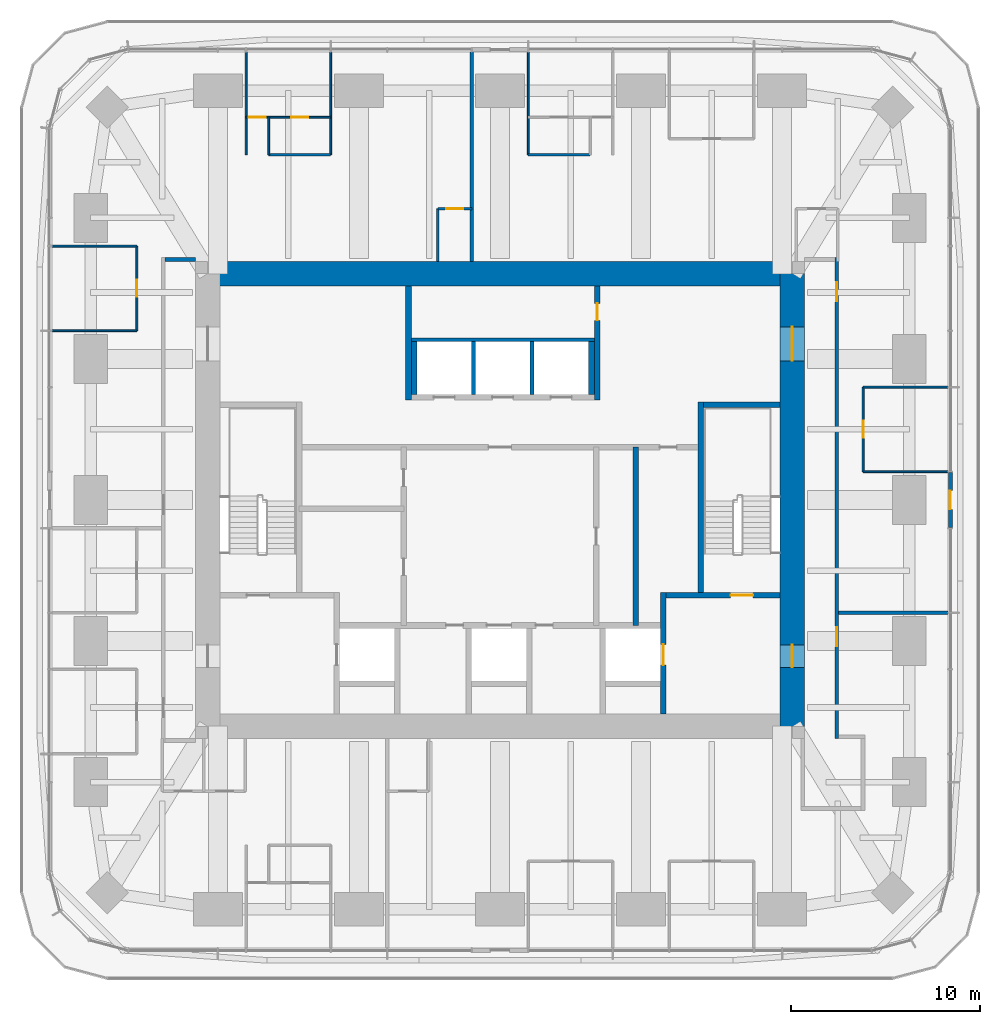
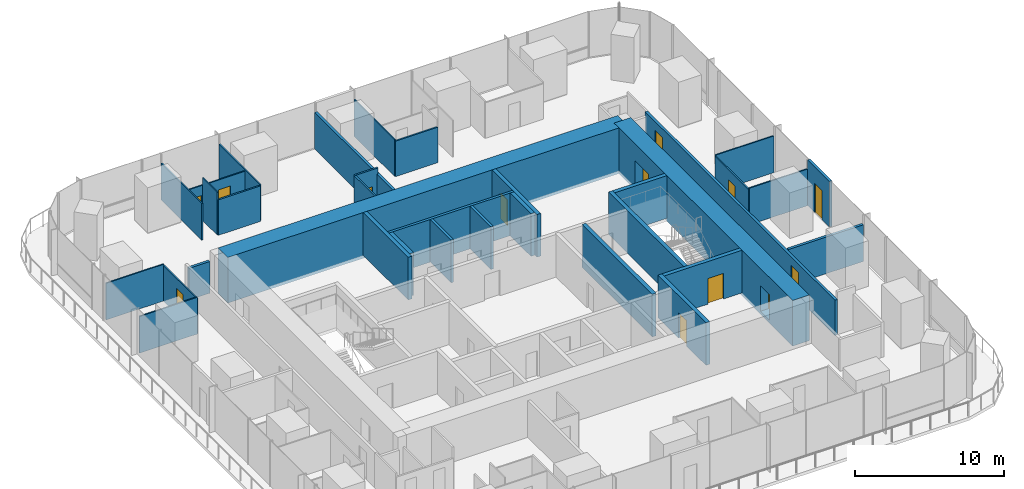
# One storey, part 10 of 15: 34 walls, 13 doors, 13 openings.
"""IFC4 building model written with IfcOpenShell, lengths in metres."""

from ifc_helpers import new_model, si_unit, direction, frame, frame_2d, origin, place, context, subcontext, project, spatial, rectangle, extrude, material, layer, layer_set, type_object, element, fill, save


model = new_model("IFC4")

# Units and contexts
model_context = context("Model", 3, precision=1e-05, world=origin(), true_north=direction((0.0, 1.0)))
body_context = subcontext(model_context, "Body", "Model", "MODEL_VIEW")
ifc_project = project(units=[si_unit("LENGTHUNIT", "METRE"), si_unit("AREAUNIT", "SQUARE_METRE"), si_unit("VOLUMEUNIT", "CUBIC_METRE"), si_unit("PLANEANGLEUNIT", "RADIAN"), si_unit("MASSUNIT", "GRAM", prefix="KILO")], contexts=[model_context])

# Site, building, storey
site_placement = place(None, origin())
site = spatial("IfcSite", under=ifc_project, at=site_placement, CompositionType="ELEMENT")
building_placement = place(site_placement, origin())
building = spatial("IfcBuilding", under=site, at=building_placement, Name="Khuree Lantern Residences", CompositionType="ELEMENT")
storey_placement = place(building_placement, frame((0.0, 0.0, 285.75)))
storey = spatial("IfcBuildingStorey", under=building, at=storey_placement, Name="L71", CompositionType="ELEMENT", Elevation=285.75)

# Walls
ifc_material_1 = material(Name="Moisture-resistant gypsum board on steel studs", Category="steel")
ifc_layer_1 = layer(ifc_material_1, 0.125)
ifc_layer_set_1 = layer_set([ifc_layer_1], Name="BATHROOM WALL BTW125")
wall_type_1 = type_object("IfcWallType", Name="BATHROOM WALL BTW125", PredefinedType="PARTITIONING", material=ifc_layer_set_1)
for number, where, z_axis, x_axis, name in (
    (1, (4.783935546875, 18.29638671875, 0.0), (0.0, 0.0, 1.0), (-1.0, 0.0, 0.0), "L71 BATHROOM WALL 01"),
    (2, (-8.97607421875, 18.29638671875, 0.0), (0.0, 0.0, 1.0), (-1.0, 0.0, 0.0), "L71 BATHROOM WALL 02"),
):
    element("IfcWall", number, at=place(storey_placement, frame(where, z_axis=z_axis, x_axis=x_axis)), inside=storey, type_object=wall_type_1, Name=name, PredefinedType="PARTITIONING", context=body_context, shape_type="SweptSolid", body=[
        extrude(rectangle(XDim=3.287841796875, YDim=0.125, at=frame_2d((1.64404296875, 0.0))), origin(), (0.0, 0.0, 1.0), 2.909912109375),
    ])

# Wall, opening, door
wall_1_placement = place(storey_placement, frame((-1.49609375, 15.449951171875, 0.0), z_axis=(0.0, 0.0, 1.0), x_axis=(-1.0, 0.0, 0.0)))
wall_1 = element("IfcWall", 3, at=wall_1_placement, inside=storey, type_object=wall_type_1, Name="L71 BATHROOM WALL 02", PredefinedType="PARTITIONING", context=body_context, shape_type="SweptSolid", body=[
    extrude(rectangle(XDim=1.7998046875, YDim=0.125, at=frame_2d((0.89990234375, 0.0))), origin(), (0.0, 0.0, 1.0), 3.5),
])
opening_1_placement = place(wall_1_placement, frame((0.449951171875, 0.0, 0.0)))
opening_1 = element("IfcOpeningElement", 4, at=opening_1_placement, cuts=wall_1, Name="Opening 71-030", PredefinedType="OPENING", context=body_context, shape_type="SweptSolid", body=[
    extrude(rectangle(XDim=0.89990234375, YDim=2.10009765625, at=frame_2d((0.449951171875, 1.050048828125))), frame((0.0, 0.072509765625, 0.0), z_axis=(0.0, -1.0, 0.0), x_axis=(1.0, 0.0, 0.0)), (0.0, 0.0, 1.0), 0.14501953125),
])
ifc_material_2 = material(Name="Timber door leaf in hardwood frame", Category="wood")
door_type_1 = type_object("IfcDoorType", Name="BATHROOM DOOR 900X2100", OperationType="SINGLE_SWING_LEFT", PredefinedType="DOOR", material=ifc_material_2)
door_1_placement = place(opening_1_placement, origin())
door_1 = element("IfcDoor", 5, at=door_1_placement, inside=storey, type_object=door_type_1, Name="Bathroom door 71-030", OperationType="SINGLE_SWING_LEFT", OverallHeight=2.10009765625, OverallWidth=0.89990234375, PredefinedType="DOOR", context=body_context, shape_type="SweptSolid", body=[
    extrude(rectangle(XDim=0.89990234375, YDim=2.10009765625, at=frame_2d((0.449951171875, 1.050048828125))), frame((0.0, 0.02490234375, 0.0), z_axis=(0.0, -1.0, 0.0), x_axis=(1.0, 0.0, 0.0)), (0.0, 0.0, 1.0), 0.050048828125),
])
fill(opening_1, door_1)

# Wall
wall_2_placement = place(storey_placement, frame((-3.2958984375, 12.64990234375, 0.0), z_axis=(0.0, 0.0, 1.0), x_axis=(0.0, 1.0, 0.0)))
element("IfcWall", 6, at=wall_2_placement, inside=storey, type_object=wall_type_1, Name="L71 BATHROOM WALL 02", PredefinedType="PARTITIONING", context=body_context, shape_type="SweptSolid", body=[
    extrude(rectangle(XDim=2.800048828125, YDim=0.125, at=frame_2d((1.39990234375, 0.0))), origin(), (0.0, 0.0, 1.0), 3.5),
])

# Wall, opening, door
ifc_material_3 = material(Name="Dense concrete blockwork", Category="masonry")
ifc_layer_2 = layer(ifc_material_3, 0.300048828125)
ifc_layer_set_2 = layer_set([ifc_layer_2], Name="CORE PARTITION WALL CPW300 EI 120")
wall_type_2 = type_object("IfcWallType", Name="CORE PARTITION WALL CPW300 EI 120", PredefinedType="PARTITIONING", material=ifc_layer_set_2)
wall_3_placement = place(storey_placement, frame((8.64990234375, -11.35009765625, 0.0), z_axis=(0.0, 0.0, 1.0), x_axis=(0.0, 1.0, 0.0)))
wall_3 = element("IfcWall", 7, at=wall_3_placement, inside=storey, type_object=wall_type_2, Name="L71 CORE WALL FL2E", PredefinedType="PARTITIONING", context=body_context, shape_type="SweptSolid", body=[
    extrude(rectangle(XDim=6.4501953125, YDim=0.300048828125, at=frame_2d((3.22509765625, 0.0))), origin(), (0.0, 0.0, 1.0), 3.5),
])
opening_2_placement = place(wall_3_placement, frame((2.60009765625, 0.0, 0.0)))
opening_2 = element("IfcOpeningElement", 8, at=opening_2_placement, cuts=wall_3, Name="Opening 71-008", PredefinedType="OPENING", context=body_context, shape_type="SweptSolid", body=[
    extrude(rectangle(XDim=1.10009765625, YDim=2.10009765625, at=frame_2d((0.550048828125, 1.050048828125))), frame((0.0, 0.16015625, 0.0), z_axis=(0.0, -1.0, 0.0), x_axis=(1.0, 0.0, 0.0)), (0.0, 0.0, 1.0), 0.320068359375),
])
ifc_material_4 = material(Name="Stainless steel lift landing door", Category="steel")
door_type_2 = type_object("IfcDoorType", Name="LIFT LANDING DOOR 1100X2100 E 120", OperationType="DOUBLE_DOOR_SLIDING", PredefinedType="DOOR", material=ifc_material_4)
door_2_placement = place(opening_2_placement, origin())
door_2 = element("IfcDoor", 9, at=door_2_placement, inside=storey, type_object=door_type_2, Name="Landing door FL2 71-008", OperationType="DOUBLE_DOOR_SLIDING", OverallHeight=2.10009765625, OverallWidth=1.10009765625, PredefinedType="DOOR", context=body_context, shape_type="SweptSolid", body=[
    extrude(rectangle(XDim=1.10009765625, YDim=2.10009765625, at=frame_2d((0.550048828125, 1.050048828125))), frame((0.0, 0.02490234375, 0.0), z_axis=(0.0, -1.0, 0.0), x_axis=(1.0, 0.0, 0.0)), (0.0, 0.0, 1.0), 0.050048828125),
])
fill(opening_2, door_2)

# Walls
for number, where, z_axis, x_axis, name in (
    (10, (-4.550048828125, 5.60009765625, 0.0), (0.0, 0.0, 1.0), (0.0, 1.0, 0.0), "L71 CORE WALL PHW"),
    (11, (4.85009765625, 5.60009765625, 0.0), (0.0, 0.0, 1.0), (0.0, 1.0, 0.0), "L71 CORE WALL PHE"),
):
    element("IfcWall", number, at=place(storey_placement, frame(where, z_axis=z_axis, x_axis=x_axis)), inside=storey, type_object=wall_type_2, Name=name, PredefinedType="PARTITIONING", context=body_context, shape_type="SweptSolid", body=[
        extrude(rectangle(XDim=2.7998046875, YDim=0.300048828125, at=frame_2d((1.39990234375, 0.0))), origin(), (0.0, 0.0, 1.0), 3.5),
    ])
wall_4_placement = place(storey_placement, frame((7.193115234375, -6.64990234375, 0.0), z_axis=(0.0, 0.0, 1.0), x_axis=(0.0, 1.0, 0.0)))
element("IfcWall", 12, at=wall_4_placement, inside=storey, type_object=wall_type_2, Name="L71 CORE WALL EV", PredefinedType="PARTITIONING", context=body_context, shape_type="SweptSolid", body=[
    extrude(rectangle(XDim=9.449951171875, YDim=0.300048828125, at=frame_2d((4.72509765625, 0.0))), origin(), (0.0, 0.0, 1.0), 3.5),
])
wall_5_placement = place(storey_placement, frame((-4.85009765625, 5.300048828125, 0.0), z_axis=(0.0, 0.0, 1.0), x_axis=(0.0, 1.0, 0.0)))
element("IfcWall", 13, at=wall_5_placement, inside=storey, type_object=wall_type_2, Name="L71 CORE WALL NW", PredefinedType="PARTITIONING", context=body_context, shape_type="SweptSolid", body=[
    extrude(rectangle(XDim=6.050048828125, YDim=0.300048828125, at=frame_2d((3.02490234375, 0.0))), origin(), (0.0, 0.0, 1.0), 3.5),
])

# Wall, opening, door
wall_6_placement = place(storey_placement, frame((5.14990234375, 5.300048828125, 0.0), z_axis=(0.0, 0.0, 1.0), x_axis=(0.0, 1.0, 0.0)))
wall_6 = element("IfcWall", 14, at=wall_6_placement, inside=storey, type_object=wall_type_2, Name="L71 CORE WALL NE", PredefinedType="PARTITIONING", context=body_context, shape_type="SweptSolid", body=[
    extrude(rectangle(XDim=6.050048828125, YDim=0.300048828125, at=frame_2d((3.02490234375, 0.0))), origin(), (0.0, 0.0, 1.0), 3.5),
])
opening_3_placement = place(wall_6_placement, frame((4.22509765625, 0.0, 0.0)))
opening_3 = element("IfcOpeningElement", 15, at=opening_3_placement, cuts=wall_6, Name="Opening 71-020", PredefinedType="OPENING", context=body_context, shape_type="SweptSolid", body=[
    extrude(rectangle(XDim=0.89990234375, YDim=2.10009765625, at=frame_2d((0.449951171875, 1.050048828125))), frame((0.0, 0.16015625, 0.0), z_axis=(0.0, -1.0, 0.0), x_axis=(1.0, 0.0, 0.0)), (0.0, 0.0, 1.0), 0.320068359375),
])
door_type_3 = type_object("IfcDoorType", Name="DOOR 900X2100", OperationType="SINGLE_SWING_LEFT", PredefinedType="DOOR", material=ifc_material_2)
door_3_placement = place(opening_3_placement, origin())
door_3 = element("IfcDoor", 16, at=door_3_placement, inside=storey, type_object=door_type_3, Name="Residents' store door 71-020", OperationType="SINGLE_SWING_LEFT", OverallHeight=2.10009765625, OverallWidth=0.89990234375, PredefinedType="DOOR", context=body_context, shape_type="SweptSolid", body=[
    extrude(rectangle(XDim=0.89990234375, YDim=2.10009765625, at=frame_2d((0.449951171875, 1.050048828125))), frame((0.0, 0.02490234375, 0.0), z_axis=(0.0, -1.0, 0.0), x_axis=(1.0, 0.0, 0.0)), (0.0, 0.0, 1.0), 0.050048828125),
])
fill(opening_3, door_3)

# Wall
ifc_material_5 = material(Name="Gypsum board on steel studs", Category="steel")
ifc_layer_3 = layer(ifc_material_5, 0.199951171875)
ifc_layer_set_3 = layer_set([ifc_layer_3], Name="CORRIDOR WALL CRW200 EI 60")
wall_type_3 = type_object("IfcWallType", Name="CORRIDOR WALL CRW200 EI 60", PredefinedType="PARTITIONING", material=ifc_layer_set_3)
wall_7_placement = place(storey_placement, frame((-16.14990234375, 12.75, 0.0), z_axis=(0.0, 0.0, 1.0), x_axis=(-1.0, 0.0, 0.0)))
element("IfcWall", 17, at=wall_7_placement, inside=storey, type_object=wall_type_3, Name="L71 WEST CORRIDOR NORTH END WALL", PredefinedType="PARTITIONING", context=body_context, shape_type="SweptSolid", body=[
    extrude(rectangle(XDim=1.60009765625, YDim=0.199951171875, at=frame_2d((0.800048828125, 0.0))), origin(), (0.0, 0.0, 1.0), 2.60009765625),
])

# Wall, openings, doors
wall_8_placement = place(storey_placement, frame((17.85009765625, -12.64990234375, 0.0), z_axis=(0.0, 0.0, 1.0), x_axis=(0.0, 1.0, 0.0)))
wall_8 = element("IfcWall", 18, at=wall_8_placement, inside=storey, type_object=wall_type_3, Name="L71 CORRIDOR WALL EAST 1", PredefinedType="PARTITIONING", context=body_context, shape_type="SweptSolid", body=[
    extrude(rectangle(XDim=25.5, YDim=0.199951171875, at=frame_2d((12.75, 0.0))), origin(), (0.0, 0.0, 1.0), 2.89990234375),
])
opening_4_placement = place(wall_8_placement, frame((23.18603515625, 0.0, 0.0)))
opening_4 = element("IfcOpeningElement", 19, at=opening_4_placement, cuts=wall_8, Name="Opening 71-026", PredefinedType="OPENING", context=body_context, shape_type="SweptSolid", body=[
    extrude(rectangle(XDim=1.0, YDim=2.199951171875, at=frame_2d((0.5, 1.10009765625))), frame((0.0, 0.10986328125, 0.0), z_axis=(0.0, -1.0, 0.0), x_axis=(1.0, 0.0, 0.0)), (0.0, 0.0, 1.0), 0.219970703125),
])
opening_5_placement = place(wall_8_placement, frame((4.89990234375, 0.0, 0.0)))
opening_5 = element("IfcOpeningElement", 20, at=opening_5_placement, cuts=wall_8, Name="Opening 71-042", PredefinedType="OPENING", context=body_context, shape_type="SweptSolid", body=[
    extrude(rectangle(XDim=1.0, YDim=2.199951171875, at=frame_2d((0.5, 1.10009765625))), frame((0.0, 0.10986328125, 0.0), z_axis=(0.0, -1.0, 0.0), x_axis=(1.0, 0.0, 0.0)), (0.0, 0.0, 1.0), 0.219970703125),
])
door_type_4 = type_object("IfcDoorType", Name="APARTMENT ENTRANCE DOOR 1000X2200 EI 30S", OperationType="SINGLE_SWING_LEFT", PredefinedType="DOOR", material=ifc_material_2)
door_4_placement = place(opening_5_placement, origin())
door_4 = element("IfcDoor", 21, at=door_4_placement, inside=storey, type_object=door_type_4, Name="Apartment 04 entrance door 71-042", OperationType="SINGLE_SWING_LEFT", OverallHeight=2.199951171875, OverallWidth=1.0, PredefinedType="DOOR", context=body_context, shape_type="SweptSolid", body=[
    extrude(rectangle(XDim=1.0, YDim=2.199951171875, at=frame_2d((0.5, 1.10009765625))), frame((0.0, 0.02490234375, 0.0), z_axis=(0.0, -1.0, 0.0), x_axis=(1.0, 0.0, 0.0)), (0.0, 0.0, 1.0), 0.050048828125),
])
fill(opening_5, door_4)
door_type_5 = type_object("IfcDoorType", Name="APARTMENT ENTRANCE DOOR 1000X2200 EI 30S RIGHT HAND", OperationType="SINGLE_SWING_RIGHT", PredefinedType="DOOR", material=ifc_material_2)
door_5_placement = place(opening_4_placement, origin())
door_5 = element("IfcDoor", 22, at=door_5_placement, inside=storey, type_object=door_type_5, Name="Apartment 01 entrance door 71-026", OperationType="SINGLE_SWING_RIGHT", OverallHeight=2.199951171875, OverallWidth=1.0, PredefinedType="DOOR", context=body_context, shape_type="SweptSolid", body=[
    extrude(rectangle(XDim=1.0, YDim=2.199951171875, at=frame_2d((0.5, 1.10009765625))), frame((0.0, 0.02490234375, 0.0), z_axis=(0.0, -1.0, 0.0), x_axis=(1.0, 0.0, 0.0)), (0.0, 0.0, 1.0), 0.050048828125),
])
fill(opening_4, door_5)

ifc_material_6 = material(Name="Concrete C50/60", Category="concrete")
ifc_layer_4 = layer(ifc_material_6, 1.300048828125)
ifc_layer_set_4 = layer_set([ifc_layer_4], Name="CW1300-C50 CORE WALL C50 1300")
wall_type_4 = type_object("IfcWallType", Name="CW1300-C50 CORE WALL C50 1300", PredefinedType="SHEAR", material=ifc_layer_set_4)
wall_9_placement = place(storey_placement, frame((15.5, -12.0, -0.25), z_axis=(0.0, 0.0, 1.0), x_axis=(0.0, 1.0, 0.0)))
wall_9 = element("IfcWall", 23, at=wall_9_placement, inside=storey, type_object=wall_type_4, Name="Core wall E", PredefinedType="SHEAR", context=body_context, shape_type="SweptSolid", body=[
    extrude(rectangle(XDim=24.0, YDim=1.300048828125, at=frame_2d((12.0, 0.0))), origin(), (0.0, 0.0, 1.0), 3.75),
])
opening_6_placement = place(wall_9_placement, frame((3.125, 0.0, 0.25)))
opening_6 = element("IfcOpeningElement", 24, at=opening_6_placement, cuts=wall_9, Name="Opening 71-005", PredefinedType="OPENING", context=body_context, shape_type="SweptSolid", body=[
    extrude(rectangle(XDim=1.199951171875, YDim=2.10009765625, at=frame_2d((0.60009765625, 1.050048828125))), frame((0.0, 0.66015625, 0.0), z_axis=(0.0, -1.0, 0.0), x_axis=(1.0, 0.0, 0.0)), (0.0, 0.0, 1.0), 1.320068359375),
])
opening_7_placement = place(wall_9_placement, frame((19.375, 0.0, 0.25)))
opening_7 = element("IfcOpeningElement", 25, at=opening_7_placement, cuts=wall_9, Name="Opening 71-006", PredefinedType="OPENING", context=body_context, shape_type="SweptSolid", body=[
    extrude(rectangle(XDim=1.800048828125, YDim=2.10009765625, at=frame_2d((0.89990234375, 1.050048828125))), frame((0.0, 0.66015625, 0.0), z_axis=(0.0, -1.0, 0.0), x_axis=(1.0, 0.0, 0.0)), (0.0, 0.0, 1.0), 1.320068359375),
])
ifc_material_7 = material(Name="Steel door leaf in steel frame", Category="steel")
door_type_6 = type_object("IfcDoorType", Name="LOBBY DOOR 1200X2100 EI 120", OperationType="SINGLE_SWING_LEFT", PredefinedType="DOOR", material=ifc_material_7)
door_6_placement = place(opening_6_placement, origin())
door_6 = element("IfcDoor", 26, at=door_6_placement, inside=storey, type_object=door_type_6, Name="Firefighting lobby door 71-005", OperationType="SINGLE_SWING_LEFT", OverallHeight=2.10009765625, OverallWidth=1.199951171875, PredefinedType="DOOR", context=body_context, shape_type="SweptSolid", body=[
    extrude(rectangle(XDim=1.199951171875, YDim=2.10009765625, at=frame_2d((0.60009765625, 1.050048828125))), frame((0.0, 0.02490234375, 0.0), z_axis=(0.0, -1.0, 0.0), x_axis=(1.0, 0.0, 0.0)), (0.0, 0.0, 1.0), 0.050048828125),
])
fill(opening_6, door_6)
door_type_7 = type_object("IfcDoorType", Name="LOBBY DOUBLE DOOR 1800X2100 EI 60", OperationType="DOUBLE_DOOR_SINGLE_SWING", PredefinedType="DOOR", material=ifc_material_7)
door_7_placement = place(opening_7_placement, origin())
door_7 = element("IfcDoor", 27, at=door_7_placement, inside=storey, type_object=door_type_7, Name="Lift lobby door 71-006", OperationType="DOUBLE_DOOR_SINGLE_SWING", OverallHeight=2.10009765625, OverallWidth=1.800048828125, PredefinedType="DOOR", context=body_context, shape_type="SweptSolid", body=[
    extrude(rectangle(XDim=1.800048828125, YDim=2.10009765625, at=frame_2d((0.89990234375, 1.050048828125))), frame((0.0, 0.02490234375, 0.0), z_axis=(0.0, -1.0, 0.0), x_axis=(1.0, 0.0, 0.0)), (0.0, 0.0, 1.0), 0.050048828125),
])
fill(opening_7, door_7)

# Walls
wall_10_placement = place(storey_placement, frame((-15.5, 12.0, -0.25), z_axis=(0.0, 0.0, 1.0), x_axis=(1.0, 0.0, 0.0)))
element("IfcWall", 28, at=wall_10_placement, inside=storey, type_object=wall_type_4, Name="Core wall N", PredefinedType="SHEAR", context=body_context, shape_type="SweptSolid", body=[
    extrude(rectangle(XDim=31.0, YDim=1.300048828125, at=frame_2d((15.5, 0.0))), origin(), (0.0, 0.0, 1.0), 3.75),
])
ifc_layer_5 = layer(ifc_material_5, 0.199951171875)
ifc_layer_set_5 = layer_set([ifc_layer_5], Name="DEMISING WALL DMW200 EI 90")
wall_type_5 = type_object("IfcWallType", Name="DEMISING WALL DMW200 EI 90", PredefinedType="PARTITIONING", material=ifc_layer_set_5)
wall_11_placement = place(storey_placement, frame((17.949951171875, -5.98388671875, 0.0), z_axis=(0.0, 0.0, 1.0), x_axis=(1.0, 0.0, 0.0)))
element("IfcWall", 29, at=wall_11_placement, inside=storey, type_object=wall_type_5, Name="L71 DEMISING WALL 01", PredefinedType="PARTITIONING", context=body_context, shape_type="SweptSolid", body=[
    extrude(rectangle(XDim=5.800048828125, YDim=0.199951171875, at=frame_2d((2.89990234375, 0.0))), origin(), (0.0, 0.0, 1.0), 3.010009765625),
])
wall_12_placement = place(storey_placement, frame((-1.49609375, 12.64990234375, 0.0), z_axis=(0.0, 0.0, 1.0), x_axis=(0.0, 1.0, 0.0)))
element("IfcWall", 30, at=wall_12_placement, inside=storey, type_object=wall_type_5, Name="L71 DEMISING WALL 02", PredefinedType="PARTITIONING", context=body_context, shape_type="SweptSolid", body=[
    extrude(rectangle(XDim=11.10009765625, YDim=0.199951171875, at=frame_2d((5.550048828125, 0.0))), origin(), (0.0, 0.0, 1.0), 3.010009765625),
])
ifc_layer_6 = layer(ifc_material_5, 0.10009765625)
ifc_layer_set_6 = layer_set([ifc_layer_6], Name="PARTITION PT100")
wall_type_6 = type_object("IfcWallType", Name="PARTITION PT100", PredefinedType="PARTITIONING", material=ifc_layer_set_6)
for number, where, z_axis, x_axis, name in (
    (31, (19.25, 1.49609375, 0.0), (0.0, 0.0, 1.0), (1.0, 0.0, 0.0), "L71 PARTITION 01"),
    (32, (19.25, 5.98388671875, 0.0), (0.0, 0.0, 1.0), (1.0, 0.0, 0.0), "L71 PARTITION 01"),
):
    element("IfcWall", number, at=place(storey_placement, frame(where, z_axis=z_axis, x_axis=x_axis)), inside=storey, type_object=wall_type_6, Name=name, PredefinedType="PARTITIONING", context=body_context, shape_type="SweptSolid", body=[
        extrude(rectangle(XDim=4.5, YDim=0.10009765625, at=frame_2d((2.25, 0.0))), origin(), (0.0, 0.0, 1.0), 3.010009765625),
    ])
for number, where, z_axis, x_axis, name in (
    (33, (1.49609375, 18.29638671875, 0.0), (0.0, 0.0, 1.0), (0.0, 1.0, 0.0), "L71 PARTITION 01"),
    (34, (-8.97607421875, 18.29638671875, 0.0), (0.0, 0.0, 1.0), (0.0, 1.0, 0.0), "L71 PARTITION 02"),
    (35, (-13.464111328125, 18.29638671875, 0.0), (0.0, 0.0, 1.0), (0.0, 1.0, 0.0), "L71 PARTITION 02"),
):
    element("IfcWall", number, at=place(storey_placement, frame(where, z_axis=z_axis, x_axis=x_axis)), inside=storey, type_object=wall_type_6, Name=name, PredefinedType="PARTITIONING", context=body_context, shape_type="SweptSolid", body=[
        extrude(rectangle(XDim=5.45361328125, YDim=0.10009765625, at=frame_2d((2.726806640625, 0.0))), origin(), (0.0, 0.0, 1.0), 3.010009765625),
    ])
for number, where, z_axis, x_axis, name in (
    (36, (-19.25, 13.464111328125, 0.0), (0.0, 0.0, 1.0), (-1.0, 0.0, 0.0), "L71 PARTITION 02"),
    (37, (-19.25, 8.97607421875, 0.0), (0.0, 0.0, 1.0), (-1.0, 0.0, 0.0), "L71 PARTITION 02"),
):
    element("IfcWall", number, at=place(storey_placement, frame(where, z_axis=z_axis, x_axis=x_axis)), inside=storey, type_object=wall_type_6, Name=name, PredefinedType="PARTITIONING", context=body_context, shape_type="SweptSolid", body=[
        extrude(rectangle(XDim=4.5, YDim=0.10009765625, at=frame_2d((2.25, 0.0))), origin(), (0.0, 0.0, 1.0), 3.010009765625),
    ])

# Wall, opening, door
wall_13_placement = place(storey_placement, frame((19.25, 1.49609375, 0.0), z_axis=(0.0, 0.0, 1.0), x_axis=(0.0, 1.0, 0.0)))
wall_13 = element("IfcWall", 38, at=wall_13_placement, inside=storey, type_object=wall_type_6, Name="L71 PARTITION 01", PredefinedType="PARTITIONING", context=body_context, shape_type="SweptSolid", body=[
    extrude(rectangle(XDim=4.48779296875, YDim=0.10009765625, at=frame_2d((2.243896484375, 0.0))), origin(), (0.0, 0.0, 1.0), 2.909912109375),
])
opening_8_placement = place(wall_13_placement, frame((1.7939453125, 0.0, 0.0)))
opening_8 = element("IfcOpeningElement", 39, at=opening_8_placement, cuts=wall_13, Name="Opening 71-021", PredefinedType="OPENING", context=body_context, shape_type="SweptSolid", body=[
    extrude(rectangle(XDim=0.89990234375, YDim=2.10009765625, at=frame_2d((0.449951171875, 1.050048828125))), frame((0.0, 0.06005859375, 0.0), z_axis=(0.0, -1.0, 0.0), x_axis=(1.0, 0.0, 0.0)), (0.0, 0.0, 1.0), 0.1201171875),
])
door_type_8 = type_object("IfcDoorType", Name="BEDROOM DOOR 900X2100", OperationType="SINGLE_SWING_LEFT", PredefinedType="DOOR", material=ifc_material_2)
door_8_placement = place(opening_8_placement, origin())
door_8 = element("IfcDoor", 40, at=door_8_placement, inside=storey, type_object=door_type_8, Name="Bedroom door 71-021", OperationType="SINGLE_SWING_LEFT", OverallHeight=2.10009765625, OverallWidth=0.89990234375, PredefinedType="DOOR", context=body_context, shape_type="SweptSolid", body=[
    extrude(rectangle(XDim=0.89990234375, YDim=2.10009765625, at=frame_2d((0.449951171875, 1.050048828125))), frame((0.0, 0.02490234375, 0.0), z_axis=(0.0, -1.0, 0.0), x_axis=(1.0, 0.0, 0.0)), (0.0, 0.0, 1.0), 0.050048828125),
])
fill(opening_8, door_8)

# Wall, openings, doors
wall_14_placement = place(storey_placement, frame((-8.97607421875, 20.29638671875, 0.0), z_axis=(0.0, 0.0, 1.0), x_axis=(-1.0, 0.0, 0.0)))
wall_14 = element("IfcWall", 41, at=wall_14_placement, inside=storey, type_object=wall_type_6, Name="L71 PARTITION 02", PredefinedType="PARTITIONING", context=body_context, shape_type="SweptSolid", body=[
    extrude(rectangle(XDim=4.488037109375, YDim=0.10009765625, at=frame_2d((2.244140625, 0.0))), origin(), (0.0, 0.0, 1.0), 2.909912109375),
])
opening_9_placement = place(wall_14_placement, frame((3.43798828125, 0.0, 0.0)))
opening_9 = element("IfcOpeningElement", 42, at=opening_9_placement, cuts=wall_14, Name="Opening 71-027", PredefinedType="OPENING", context=body_context, shape_type="SweptSolid", body=[
    extrude(rectangle(XDim=0.89990234375, YDim=2.10009765625, at=frame_2d((0.449951171875, 1.050048828125))), frame((0.0, 0.06005859375, 0.0), z_axis=(0.0, -1.0, 0.0), x_axis=(1.0, 0.0, 0.0)), (0.0, 0.0, 1.0), 0.1201171875),
])
opening_10_placement = place(wall_14_placement, frame((1.194091796875, 0.0, 0.0)))
opening_10 = element("IfcOpeningElement", 43, at=opening_10_placement, cuts=wall_14, Name="Opening 71-028", PredefinedType="OPENING", context=body_context, shape_type="SweptSolid", body=[
    extrude(rectangle(XDim=0.89990234375, YDim=2.10009765625, at=frame_2d((0.449951171875, 1.050048828125))), frame((0.0, 0.06005859375, 0.0), z_axis=(0.0, -1.0, 0.0), x_axis=(1.0, 0.0, 0.0)), (0.0, 0.0, 1.0), 0.1201171875),
])
door_9_placement = place(opening_10_placement, origin())
door_9 = element("IfcDoor", 44, at=door_9_placement, inside=storey, type_object=door_type_1, Name="Bathroom door 71-028", OperationType="SINGLE_SWING_LEFT", OverallHeight=2.10009765625, OverallWidth=0.89990234375, PredefinedType="DOOR", context=body_context, shape_type="SweptSolid", body=[
    extrude(rectangle(XDim=0.89990234375, YDim=2.10009765625, at=frame_2d((0.449951171875, 1.050048828125))), frame((0.0, 0.02490234375, 0.0), z_axis=(0.0, -1.0, 0.0), x_axis=(1.0, 0.0, 0.0)), (0.0, 0.0, 1.0), 0.050048828125),
])
fill(opening_10, door_9)
door_10_placement = place(opening_9_placement, origin())
door_10 = element("IfcDoor", 45, at=door_10_placement, inside=storey, type_object=door_type_8, Name="Bedroom door 71-027", OperationType="SINGLE_SWING_LEFT", OverallHeight=2.10009765625, OverallWidth=0.89990234375, PredefinedType="DOOR", context=body_context, shape_type="SweptSolid", body=[
    extrude(rectangle(XDim=0.89990234375, YDim=2.10009765625, at=frame_2d((0.449951171875, 1.050048828125))), frame((0.0, 0.02490234375, 0.0), z_axis=(0.0, -1.0, 0.0), x_axis=(1.0, 0.0, 0.0)), (0.0, 0.0, 1.0), 0.050048828125),
])
fill(opening_9, door_10)

# Wall
wall_15_placement = place(storey_placement, frame((-12.263916015625, 18.29638671875, 0.0), z_axis=(0.0, 0.0, 1.0), x_axis=(0.0, 1.0, 0.0)))
element("IfcWall", 46, at=wall_15_placement, inside=storey, type_object=wall_type_6, Name="L71 PARTITION 02", PredefinedType="PARTITIONING", context=body_context, shape_type="SweptSolid", body=[
    extrude(rectangle(XDim=2.0, YDim=0.10009765625, at=frame_2d((1.0, 0.0))), origin(), (0.0, 0.0, 1.0), 3.5),
])

# Wall, opening, door
wall_16_placement = place(storey_placement, frame((-19.25, 13.464111328125, 0.0), z_axis=(0.0, 0.0, 1.0), x_axis=(0.0, -1.0, 0.0)))
wall_16 = element("IfcWall", 47, at=wall_16_placement, inside=storey, type_object=wall_type_6, Name="L71 PARTITION 02", PredefinedType="PARTITIONING", context=body_context, shape_type="SweptSolid", body=[
    extrude(rectangle(XDim=4.488037109375, YDim=0.10009765625, at=frame_2d((2.244140625, 0.0))), origin(), (0.0, 0.0, 1.0), 2.909912109375),
])
opening_11_placement = place(wall_16_placement, frame((1.7939453125, 0.0, 0.0)))
opening_11 = element("IfcOpeningElement", 48, at=opening_11_placement, cuts=wall_16, Name="Opening 71-029", PredefinedType="OPENING", context=body_context, shape_type="SweptSolid", body=[
    extrude(rectangle(XDim=0.89990234375, YDim=2.10009765625, at=frame_2d((0.449951171875, 1.050048828125))), frame((0.0, 0.06005859375, 0.0), z_axis=(0.0, -1.0, 0.0), x_axis=(1.0, 0.0, 0.0)), (0.0, 0.0, 1.0), 0.1201171875),
])
door_11_placement = place(opening_11_placement, origin())
door_11 = element("IfcDoor", 49, at=door_11_placement, inside=storey, type_object=door_type_8, Name="Bedroom door 71-029", OperationType="SINGLE_SWING_LEFT", OverallHeight=2.10009765625, OverallWidth=0.89990234375, PredefinedType="DOOR", context=body_context, shape_type="SweptSolid", body=[
    extrude(rectangle(XDim=0.89990234375, YDim=2.10009765625, at=frame_2d((0.449951171875, 1.050048828125))), frame((0.0, 0.02490234375, 0.0), z_axis=(0.0, -1.0, 0.0), x_axis=(1.0, 0.0, 0.0)), (0.0, 0.0, 1.0), 0.050048828125),
])
fill(opening_11, door_11)

# Walls
ifc_layer_7 = layer(ifc_material_3, 0.199951171875)
ifc_layer_set_7 = layer_set([ifc_layer_7], Name="SHAFT WALL SHW200 EI 120")
wall_type_7 = type_object("IfcWallType", Name="SHAFT WALL SHW200 EI 120", PredefinedType="PARTITIONING", material=ifc_layer_set_7)
wall_17_placement = place(storey_placement, frame((-4.699951171875, 8.5, 0.0), z_axis=(0.0, 0.0, 1.0), x_axis=(1.0, 0.0, 0.0)))
element("IfcWall", 50, at=wall_17_placement, inside=storey, type_object=wall_type_7, Name="L71 CORE WALL PHN", PredefinedType="PARTITIONING", context=body_context, shape_type="SweptSolid", body=[
    extrude(rectangle(XDim=9.699951171875, YDim=0.199951171875, at=frame_2d((4.85009765625, 0.0))), origin(), (0.0, 0.0, 1.0), 3.5),
])
for number, where, z_axis, x_axis, name in (
    (51, (-1.39990234375, 5.60009765625, 0.0), (0.0, 0.0, 1.0), (0.0, 1.0, 0.0), "L71 CORE WALL PHD1"),
    (52, (1.699951171875, 5.60009765625, 0.0), (0.0, 0.0, 1.0), (0.0, 1.0, 0.0), "L71 CORE WALL PHD2"),
):
    element("IfcWall", number, at=place(storey_placement, frame(where, z_axis=z_axis, x_axis=x_axis)), inside=storey, type_object=wall_type_7, Name=name, PredefinedType="PARTITIONING", context=body_context, shape_type="SweptSolid", body=[
        extrude(rectangle(XDim=2.7998046875, YDim=0.199951171875, at=frame_2d((1.39990234375, 0.0))), origin(), (0.0, 0.0, 1.0), 3.5),
    ])
ifc_layer_8 = layer(ifc_material_6, 0.300048828125)
ifc_layer_set_8 = layer_set([ifc_layer_8], Name="STAIR WALL SRW300 C50/60 REI 240")
wall_type_8 = type_object("IfcWallType", Name="STAIR WALL SRW300 C50/60 REI 240", PredefinedType="SOLIDWALL", material=ifc_layer_set_8)
wall_18_placement = place(storey_placement, frame((10.64990234375, -4.89990234375, 0.0), z_axis=(0.0, 0.0, 1.0), x_axis=(0.0, 1.0, 0.0)))
element("IfcWall", 53, at=wall_18_placement, inside=storey, type_object=wall_type_8, Name="L71 STAIR WALL ST2E", PredefinedType="SOLIDWALL", context=body_context, shape_type="SweptSolid", body=[
    extrude(rectangle(XDim=10.099853515625, YDim=0.300048828125, at=frame_2d((5.0498046875, 0.0))), origin(), (0.0, 0.0, 1.0), 3.5),
])

# Wall, opening, door
wall_19_placement = place(storey_placement, frame((14.85009765625, -5.050048828125, 0.0), z_axis=(0.0, 0.0, 1.0), x_axis=(-1.0, 0.0, 0.0)))
wall_19 = element("IfcWall", 54, at=wall_19_placement, inside=storey, type_object=wall_type_8, Name="L71 STAIR WALL ST2S", PredefinedType="SOLIDWALL", context=body_context, shape_type="SweptSolid", body=[
    extrude(rectangle(XDim=6.050048828125, YDim=0.300048828125, at=frame_2d((3.02490234375, 0.0))), origin(), (0.0, 0.0, 1.0), 3.5),
])
opening_12_placement = place(wall_19_placement, frame((1.425048828125, 0.0, 0.0)))
opening_12 = element("IfcOpeningElement", 55, at=opening_12_placement, cuts=wall_19, Name="Opening 71-004", PredefinedType="OPENING", context=body_context, shape_type="SweptSolid", body=[
    extrude(rectangle(XDim=1.199951171875, YDim=2.10009765625, at=frame_2d((0.60009765625, 1.050048828125))), frame((0.0, 0.16015625, 0.0), z_axis=(0.0, -1.0, 0.0), x_axis=(1.0, 0.0, 0.0)), (0.0, 0.0, 1.0), 0.320068359375),
])
door_type_9 = type_object("IfcDoorType", Name="STAIR DOOR 1200X2100 EI 120", OperationType="SINGLE_SWING_LEFT", PredefinedType="DOOR", material=ifc_material_7)
door_12_placement = place(opening_12_placement, origin())
door_12 = element("IfcDoor", 56, at=door_12_placement, inside=storey, type_object=door_type_9, Name="Stair ST2 door 71-004", OperationType="SINGLE_SWING_LEFT", OverallHeight=2.10009765625, OverallWidth=1.199951171875, PredefinedType="DOOR", context=body_context, shape_type="SweptSolid", body=[
    extrude(rectangle(XDim=1.199951171875, YDim=2.10009765625, at=frame_2d((0.60009765625, 1.050048828125))), frame((0.0, 0.02490234375, 0.0), z_axis=(0.0, -1.0, 0.0), x_axis=(1.0, 0.0, 0.0)), (0.0, 0.0, 1.0), 0.050048828125),
])
fill(opening_12, door_12)

# Wall
wall_20_placement = place(storey_placement, frame((14.85009765625, 5.050048828125, 0.0), z_axis=(0.0, 0.0, 1.0), x_axis=(-1.0, 0.0, 0.0)))
element("IfcWall", 57, at=wall_20_placement, inside=storey, type_object=wall_type_8, Name="L71 STAIR WALL ST2N", PredefinedType="SOLIDWALL", context=body_context, shape_type="SweptSolid", body=[
    extrude(rectangle(XDim=4.050048828125, YDim=0.300048828125, at=frame_2d((2.02490234375, 0.0))), origin(), (0.0, 0.0, 1.0), 3.5),
])

# Wall, opening, door
ifc_material_8 = material(Name="Bronze anodised aluminium insulated panel", Category="aluminium")
ifc_layer_9 = layer(ifc_material_8, 0.199951171875)
ifc_layer_set_9 = layer_set([ifc_layer_9], Name="TERRACE DOOR SURROUND TS1 200")
wall_type_9 = type_object("IfcWallType", Name="TERRACE DOOR SURROUND TS1 200", PredefinedType="ELEMENTEDWALL", material=ifc_layer_set_9)
wall_21_placement = place(storey_placement, frame((23.8798828125, -1.46337890625, 0.0), z_axis=(0.0, 0.0, 1.0), x_axis=(0.0, 1.0, 0.0)))
wall_21 = element("IfcWall", 58, at=wall_21_placement, inside=storey, type_object=wall_type_9, Name="L71 EAST FACE TERRACE DOOR SURROUND 9", PredefinedType="ELEMENTEDWALL", context=body_context, shape_type="SweptSolid", body=[
    extrude(rectangle(XDim=2.9267578125, YDim=0.199951171875, at=frame_2d((1.46337890625, 0.0))), origin(), (0.0, 0.0, 1.0), 3.75),
])
opening_13_placement = place(wall_21_placement, frame((0.96337890625, 0.0, 0.0)))
opening_13 = element("IfcOpeningElement", 59, at=opening_13_placement, cuts=wall_21, Name="Opening 71-T01", PredefinedType="OPENING", context=body_context, shape_type="SweptSolid", body=[
    extrude(rectangle(XDim=1.0, YDim=2.39990234375, at=frame_2d((0.5, 1.199951171875))), frame((0.0, 0.10986328125, 0.0), z_axis=(0.0, -1.0, 0.0), x_axis=(1.0, 0.0, 0.0)), (0.0, 0.0, 1.0), 0.219970703125),
])
ifc_material_9 = material(Name="Bronze anodised aluminium framed triple glazing", Category="aluminium")
door_type_10 = type_object("IfcDoorType", Name="TERRACE DOOR D-T1 1000X2400", OperationType="SINGLE_SWING_RIGHT", PredefinedType="DOOR", material=ifc_material_9)
door_13_placement = place(opening_13_placement, origin())
door_13 = element("IfcDoor", 60, at=door_13_placement, inside=storey, type_object=door_type_10, Name="L71 EAST FACE TERRACE DOOR 71-T01", OperationType="SINGLE_SWING_LEFT", OverallHeight=2.39990234375, OverallWidth=1.0, PredefinedType="DOOR", context=body_context, shape_type="SweptSolid", body=[
    extrude(rectangle(XDim=1.0, YDim=2.39990234375, at=frame_2d((0.5, 1.199951171875))), frame((0.0, 0.02490234375, 0.0), z_axis=(0.0, -1.0, 0.0), x_axis=(1.0, 0.0, 0.0)), (0.0, 0.0, 1.0), 0.050048828125),
])
fill(opening_13, door_13)

save(model, "model.ifc")
